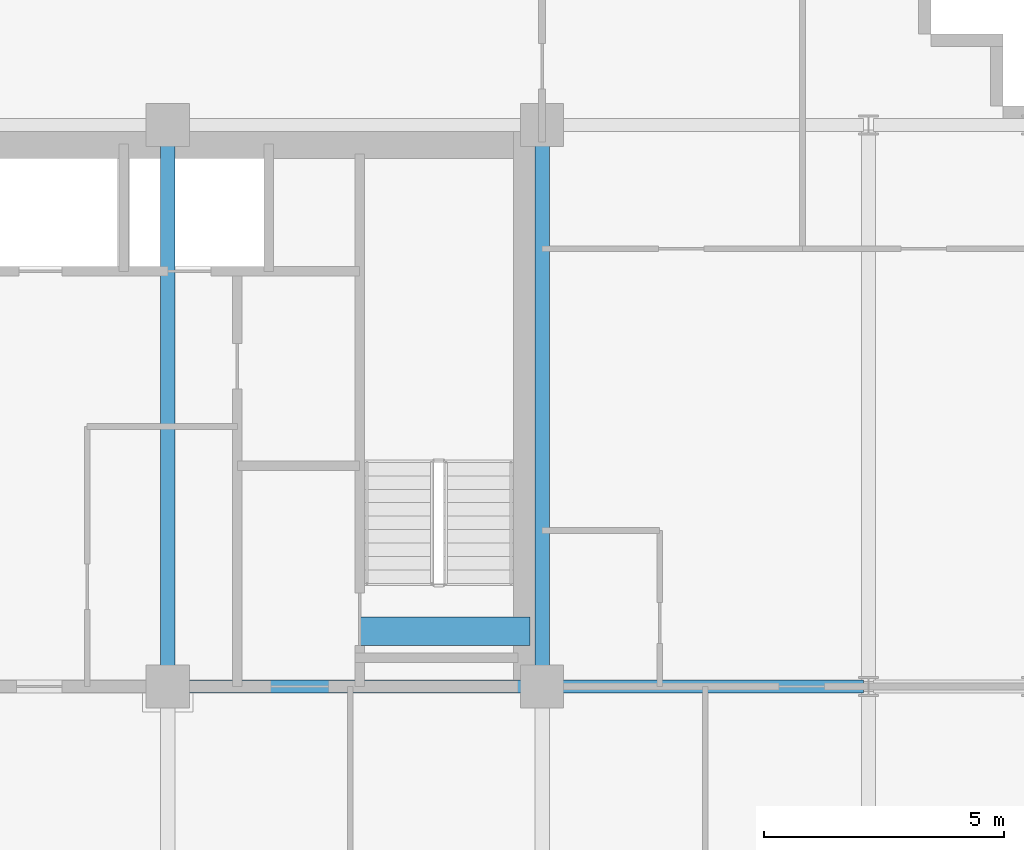
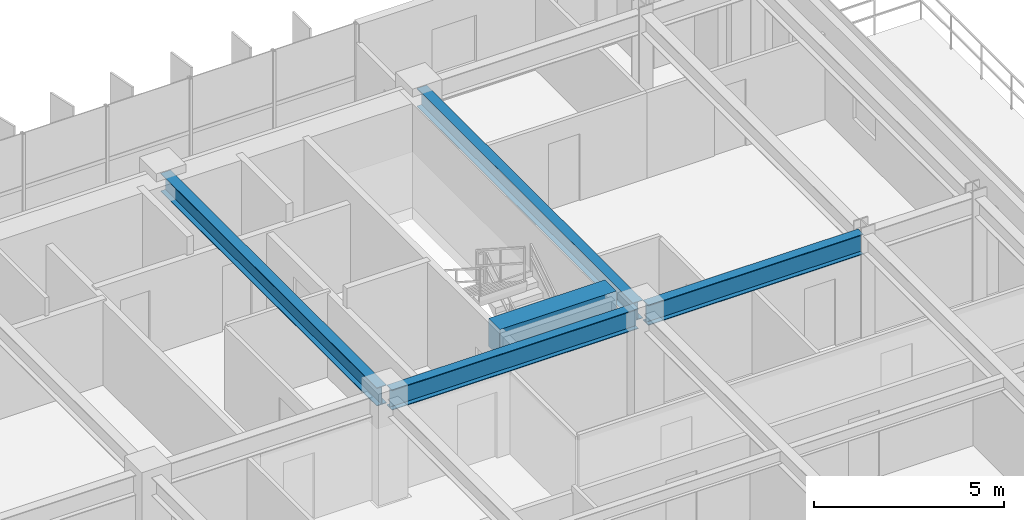
# One storey, part 10 of 26: 5 beams.
"""IFC4 building model written with IfcOpenShell, lengths in metres."""

import ifcopenshell
import ifcopenshell.guid

model = None  # the IFC model being written
_history = None  # IfcOwnerHistory: only IFC2X3 demands one
_inside = {}  # id of a spatial element -> (the spatial element, [elements in it])
_under = {}  # id of a project, library or spatial element -> (it, [spatial elements below it])
_declared = {}  # id of a project -> (the project, [libraries it declares])
_typed = {}  # id of a type object -> (the type object, [elements of that type])
_made_of = {}  # id of a material, layer set ... -> (it, [elements and type objects made of it])


def new_model(schema):
    """Start an empty IFC model of exactly this schema.

    Asked for "IFC4X3", IfcOpenShell would pick the latest addendum, in which some entities
    have other attributes; the version numbers below select the first issue.
    IFC2X3 requires an IfcOwnerHistory on every rooted entity: one is made here for all.
    """
    global model, _history
    if schema == "IFC4X3":
        model = ifcopenshell.file(schema_version=(4, 3, 0, 0))
    else:
        model = ifcopenshell.file(schema=schema)
    _inside.clear()
    _under.clear()
    _declared.clear()
    _typed.clear()
    _made_of.clear()
    _history = None
    if model.schema == "IFC2X3":
        org = make("IfcOrganization", Name="unknown")
        user = make(
            "IfcPersonAndOrganization",
            ThePerson=make("IfcPerson", FamilyName="unknown"),
            TheOrganization=org,
        )
        app = make(
            "IfcApplication",
            ApplicationDeveloper=org,
            Version="unknown",
            ApplicationFullName="unknown",
            ApplicationIdentifier="unknown",
        )
        _history = make(
            "IfcOwnerHistory",
            OwningUser=user,
            OwningApplication=app,
            ChangeAction="ADDED",
            CreationDate=0,
        )
    return model


def make(cls, **values):
    """One entity of the class cls with the attributes given. An attribute that is None is left unset."""
    return model.create_entity(
        cls, **{name: value for name, value in values.items() if value is not None}
    )


def rooted(cls, **values):
    """An entity with a GlobalId (a new one), such as an element, a storey or a relation."""
    return make(cls, GlobalId=ifcopenshell.guid.new(), OwnerHistory=_history, **values)


def si_unit(unit_type, name, prefix=None):
    """IfcSIUnit, for example si_unit("LENGTHUNIT", "METRE", prefix="MILLI")."""
    return make("IfcSIUnit", UnitType=unit_type, Prefix=prefix, Name=name)


def assignment(units):
    """IfcUnitAssignment: the units of a project."""
    return None if units is None else make("IfcUnitAssignment", Units=units)


def point(xyz):
    """IfcCartesianPoint."""
    return None if xyz is None else make("IfcCartesianPoint", Coordinates=xyz)


def direction(xyz):
    """IfcDirection."""
    return None if xyz is None else make("IfcDirection", DirectionRatios=xyz)


def frame(location, z_axis=None, x_axis=None):
    """IfcAxis2Placement3D, a coordinate frame: its origin and axes. An axis left out is left unset."""
    return make(
        "IfcAxis2Placement3D",
        Location=point(location),
        Axis=direction(z_axis),
        RefDirection=direction(x_axis),
    )


def frame_2d(location, x_axis=None):
    """IfcAxis2Placement2D, a coordinate frame in the plane: its origin and x axis."""
    return make(
        "IfcAxis2Placement2D", Location=point(location), RefDirection=direction(x_axis)
    )


def origin():
    """The frame at (0, 0, 0) with its axes left unset."""
    return frame((0.0, 0.0, 0.0))


def origin_2d():
    """The frame at (0, 0) in the plane with its x axis left unset."""
    return frame_2d((0.0, 0.0))


def place(relative_to, where):
    """IfcLocalPlacement: puts the frame where relative to a parent placement (None: the world)."""
    return make(
        "IfcLocalPlacement", PlacementRelTo=relative_to, RelativePlacement=where
    )


def context(
    kind, dimensions, precision=None, world=None, true_north=None, identifier=None
):
    """IfcGeometricRepresentationContext, for example the 3D "Model" context."""
    return make(
        "IfcGeometricRepresentationContext",
        ContextIdentifier=identifier,
        ContextType=kind,
        CoordinateSpaceDimension=dimensions,
        Precision=precision,
        WorldCoordinateSystem=world,
        TrueNorth=true_north,
    )


def subcontext(parent, identifier, kind, view, scale=None):
    """IfcGeometricRepresentationSubContext, for example "Body" below "Model"."""
    return make(
        "IfcGeometricRepresentationSubContext",
        ContextIdentifier=identifier,
        ContextType=kind,
        ParentContext=parent,
        TargetScale=scale,
        TargetView=view,
    )


def project(units=None, contexts=None):
    """IfcProject with its units and contexts."""
    return rooted(
        "IfcProject",
        Name="project",
        RepresentationContexts=contexts,
        UnitsInContext=assignment(units),
    )


def spatial(cls, under=None, at=None, **own):
    """A site, building, storey or space (cls), placed at a placement, below another one or the project."""
    s = rooted(cls, ObjectPlacement=at, **own)
    if under is not None:
        _under.setdefault(under.id(), (under, []))[1].append(s)
    return s


def profile(cls, at=None, kind="AREA", **sizes):
    """A parametric profile (cls). Its sizes go by their IFC names, for example OverallWidth=200.0."""
    return make(cls, ProfileType=kind, Position=at, **sizes)


def rectangle(**sizes):
    """IfcRectangleProfileDef."""
    return profile("IfcRectangleProfileDef", **sizes)


def i_section(**sizes):
    """IfcIShapeProfileDef."""
    return profile("IfcIShapeProfileDef", **sizes)


def extrude(swept, where, along, depth):
    """IfcExtrudedAreaSolid: the profile swept, set in the frame where, extruded along a direction by depth."""
    return make(
        "IfcExtrudedAreaSolid",
        SweptArea=swept,
        Position=where,
        ExtrudedDirection=direction(along),
        Depth=depth,
    )


def shape(context_of_items, identifier, shape_type, items):
    """IfcShapeRepresentation: the items that make up one representation, for example the "Body"."""
    return make(
        "IfcShapeRepresentation",
        ContextOfItems=context_of_items,
        RepresentationIdentifier=identifier,
        RepresentationType=shape_type,
        Items=items,
    )


def source(mapping_origin, context_of_items, identifier, shape_type, items):
    """IfcRepresentationMap: a shape defined once, which mapped items show again and again."""
    return make(
        "IfcRepresentationMap",
        MappingOrigin=mapping_origin,
        MappedRepresentation=shape(context_of_items, identifier, shape_type, items),
    )


def transform(
    local_origin,
    x_axis=None,
    y_axis=None,
    z_axis=None,
    scale=None,
    scale2=None,
    scale3=None,
    uniform=True,
):
    """IfcCartesianTransformationOperator3D, or its non-uniform kind. x_axis, y_axis, z_axis: its Axis1, 2, 3."""
    if uniform:
        return make(
            "IfcCartesianTransformationOperator3D",
            Axis1=direction(x_axis),
            Axis2=direction(y_axis),
            LocalOrigin=point(local_origin),
            Scale=scale,
            Axis3=direction(z_axis),
        )
    return make(
        "IfcCartesianTransformationOperator3DnonUniform",
        Axis1=direction(x_axis),
        Axis2=direction(y_axis),
        LocalOrigin=point(local_origin),
        Scale=scale,
        Axis3=direction(z_axis),
        Scale2=scale2,
        Scale3=scale3,
    )


def mapped(mapping_source, mapping_target):
    """IfcMappedItem: shows the shape of a source again, moved by a transform."""
    return make(
        "IfcMappedItem", MappingSource=mapping_source, MappingTarget=mapping_target
    )


def material(Name=None, Category=None):
    """IfcMaterial."""
    return make("IfcMaterial", Name=Name, Category=Category)


def material_profile(
    of_material, cross_section, Name=None, Category=None, Priority=None
):
    """IfcMaterialProfile: a cross section and its material."""
    return make(
        "IfcMaterialProfile",
        Name=Name,
        Material=of_material,
        Profile=cross_section,
        Priority=Priority,
        Category=Category,
    )


def profile_set(profiles, Name=None, composite=None):
    """IfcMaterialProfileSet."""
    return make(
        "IfcMaterialProfileSet",
        Name=Name,
        MaterialProfiles=profiles,
        CompositeProfile=composite,
    )


def made_of(thing, what):
    """Note that an element or type object is made of a material, layer set ...; save() writes the relation."""
    if what is not None:
        _made_of.setdefault(what.id(), (what, []))[1].append(thing)
    return thing


def type_object(cls, material=None, **own):
    """A type object (cls), such as IfcWallType, which elements share."""
    return made_of(rooted(cls, **own), material)


def element(
    cls,
    number,
    at=None,
    inside=None,
    cuts=None,
    type_object=None,
    material=None,
    context=None,
    identifier="Body",
    shape_type=None,
    held_by="IfcProductDefinitionShape",
    body=None,
    shapes=None,
    **own,
):
    """One element of the class cls, such as IfcWall. Its Tag is "e" and its number.

    at: its placement. inside: the storey or other place that contains it. cuts: it is an
    opening in that element (IfcRelVoidsElement). A single representation is given by context,
    identifier, shape_type and body (its items); several are given by shapes. held_by: the class
    of the entity that holds the representations. save() writes the other relations.
    """
    e = rooted(cls, Tag="e%d" % number, ObjectPlacement=at, **own)
    if body is not None:
        shapes = [shape(context, identifier, shape_type, body)]
    if shapes is not None:
        e.Representation = make(held_by, Representations=shapes)
    if inside is not None:
        _inside.setdefault(inside.id(), (inside, []))[1].append(e)
    if cuts is not None:
        rooted(
            "IfcRelVoidsElement", RelatingBuildingElement=cuts, RelatedOpeningElement=e
        )
    if type_object is not None:
        _typed.setdefault(type_object.id(), (type_object, []))[1].append(e)
    return made_of(e, material)


def aggregate(whole, parts):
    """IfcRelAggregates: a whole, such as a stair, and the parts it consists of."""
    return rooted("IfcRelAggregates", RelatingObject=whole, RelatedObjects=parts)


def save(model, path):
    """Write the relations noted so far, then the file.

    IfcRelAggregates (storeys below a building ...), IfcRelContainedInSpatialStructure (elements
    in a storey), IfcRelDefinesByType, IfcRelAssociatesMaterial and IfcRelDeclares: one each for
    every whole, place, type object, material and project.
    """
    for whole, parts in _under.values():
        aggregate(whole, parts)
    for where, things in _inside.values():
        rooted(
            "IfcRelContainedInSpatialStructure",
            RelatedElements=things,
            RelatingStructure=where,
        )
    for kind, things in _typed.values():
        rooted("IfcRelDefinesByType", RelatedObjects=things, RelatingType=kind)
    for what, things in _made_of.values():
        rooted("IfcRelAssociatesMaterial", RelatedObjects=things, RelatingMaterial=what)
    for by, libraries in _declared.values():
        rooted("IfcRelDeclares", RelatingContext=by, RelatedDefinitions=libraries)
    model.write(path)


model = new_model("IFC4")

# Units and contexts
model_context = context("Model", 3, precision=1e-05, world=origin(), true_north=direction((0.0, 1.0)))
body_context = subcontext(model_context, "Body", "Model", "MODEL_VIEW")
ifc_project = project(units=[si_unit("LENGTHUNIT", "METRE"), si_unit("AREAUNIT", "SQUARE_METRE"), si_unit("VOLUMEUNIT", "CUBIC_METRE"), si_unit("PLANEANGLEUNIT", "RADIAN"), si_unit("MASSUNIT", "GRAM", prefix="KILO")], contexts=[model_context])

# Site, building, storey
site_placement = place(None, origin())
site = spatial("IfcSite", under=ifc_project, at=site_placement, CompositionType="ELEMENT")
building_placement = place(site_placement, origin())
building = spatial("IfcBuilding", under=site, at=building_placement, Name="Trelvane Seafront Commons", CompositionType="ELEMENT")
storey_placement = place(building_placement, frame((0.0, 0.0, 23.5)))
storey = spatial("IfcBuildingStorey", under=building, at=storey_placement, Name="L05", CompositionType="ELEMENT", Elevation=23.5)

# Beams
ifc_material_1 = material(Name="Concrete C60/75", Category="concrete")
ifc_material_profile_1 = material_profile(ifc_material_1, rectangle(XDim=0.60009765625, YDim=0.89990234375, at=origin_2d()), Name="RC-600x900")
ifc_profile_set_1 = profile_set([ifc_material_profile_1], Name="Concrete C60/75")
beam_type_1 = type_object("IfcBeamType", Name="STR-LNT-RC600x900", PredefinedType="LINTEL", material=ifc_profile_set_1)
shared_shape_1 = source(origin(), body_context, "Body", "SweptSolid", [
    extrude(rectangle(XDim=0.60009765625, YDim=0.89990234375, at=origin_2d()), origin(), (0.0, 0.0, 1.0), 3.550048828125),
])
beam_1_placement = place(storey_placement, frame((55.0, 34.550048828125, 2.889892578125), z_axis=(1.0, 0.0, 0.0), x_axis=(0.0, 1.0, 0.0)))
element("IfcBeam", 1, at=beam_1_placement, inside=storey, type_object=beam_type_1, Name="L05 Core Coupling Lintel Beam CB-86", PredefinedType="LINTEL", context=body_context, shape_type="MappedRepresentation", body=[
    mapped(shared_shape_1, transform((0.0, 0.0, 0.0), x_axis=(1.0, 0.0, 0.0), y_axis=(0.0, 1.0, 0.0), z_axis=(0.0, 0.0, 1.0), scale=1.0)),
])
ifc_material_2 = material(Name="Steel SM355 (S355)", Category="steel")
ifc_material_profile_2 = material_profile(ifc_material_2, i_section(OverallWidth=0.280029296875, OverallDepth=0.64990234375, WebThickness=0.012939453125, FlangeThickness=0.02197265625, at=origin_2d()), Name="H-650x280x13x22")
ifc_profile_set_2 = profile_set([ifc_material_profile_2], Name="Steel SM355 (S355)")
beam_type_2 = type_object("IfcBeamType", Name="STR-BM-H650", PredefinedType="BEAM", material=ifc_profile_set_2)
shared_shape_2 = source(origin(), body_context, "Body", "SweptSolid", [
    extrude(i_section(OverallWidth=0.280029296875, OverallDepth=0.64990234375, WebThickness=0.012939453125, FlangeThickness=0.02197265625, at=origin_2d()), origin(), (0.0, 0.0, 1.0), 6.545166015625),
])
beam_2_placement = place(storey_placement, frame((58.949951171875, 33.39990234375, 3.014892578125), z_axis=(1.0, 0.0, 0.0), x_axis=(0.0, 1.0, 0.0)))
element("IfcBeam", 2, at=beam_2_placement, inside=storey, type_object=beam_type_2, Name="L05 Primary Girder G-26", PredefinedType="BEAM", context=body_context, shape_type="MappedRepresentation", body=[
    mapped(shared_shape_2, transform((0.0, 0.0, 0.0), x_axis=(1.0, 0.0, 0.0), y_axis=(0.0, 1.0, 0.0), z_axis=(0.0, 0.0, 1.0), scale=1.0)),
])
shared_shape_3 = source(origin(), body_context, "Body", "SweptSolid", [
    extrude(i_section(OverallWidth=0.280029296875, OverallDepth=0.64990234375, WebThickness=0.012939453125, FlangeThickness=0.02197265625, at=origin_2d()), origin(), (0.0, 0.0, 1.0), 7.5),
])
beam_3_placement = place(storey_placement, frame((51.14990234375, 33.39990234375, 3.014892578125), z_axis=(1.0, 0.0, 0.0), x_axis=(0.0, 1.0, 0.0)))
element("IfcBeam", 3, at=beam_3_placement, inside=storey, type_object=beam_type_2, Name="L05 Primary Girder G-25", PredefinedType="BEAM", context=body_context, shape_type="MappedRepresentation", body=[
    mapped(shared_shape_3, transform((0.0, 0.0, 0.0), x_axis=(1.0, 0.0, 0.0), y_axis=(0.0, 1.0, 0.0), z_axis=(0.0, 0.0, 1.0), scale=1.0)),
])
ifc_material_profile_3 = material_profile(ifc_material_2, i_section(OverallWidth=0.300048828125, OverallDepth=0.587890625, WebThickness=0.011962890625, FlangeThickness=0.02001953125, at=origin_2d()), Name="H-588x300x12x20")
ifc_profile_set_3 = profile_set([ifc_material_profile_3], Name="Steel SM355 (S355)")
beam_type_3 = type_object("IfcBeamType", Name="STR-BM-H588", PredefinedType="BEAM", material=ifc_profile_set_3)
shared_shape_4 = source(origin(), body_context, "Body", "SweptSolid", [
    extrude(i_section(OverallWidth=0.300048828125, OverallDepth=0.587890625, WebThickness=0.011962890625, FlangeThickness=0.02001953125, at=origin_2d()), origin(), (0.0, 0.0, 1.0), 11.39990234375),
])
for number, where, z_axis, x_axis, name in (
    (4, (51.0, 33.550048828125, 3.0458984375), (0.0, 1.0, 0.0), (-1.0, 0.0, 0.0), "L05 Primary Girder G-57"),
    (5, (58.800048828125, 33.550048828125, 3.0458984375), (0.0, 1.0, 0.0), (-1.0, 0.0, 0.0), "L05 Primary Girder G-60"),
):
    element("IfcBeam", number, at=place(storey_placement, frame(where, z_axis=z_axis, x_axis=x_axis)), inside=storey, type_object=beam_type_3, Name=name, PredefinedType="BEAM", context=body_context, shape_type="MappedRepresentation", body=[
        mapped(shared_shape_4, transform((0.0, 0.0, 0.0), x_axis=(1.0, 0.0, 0.0), y_axis=(0.0, 1.0, 0.0), z_axis=(0.0, 0.0, 1.0), scale=1.0)),
    ])

save(model, "model.ifc")
